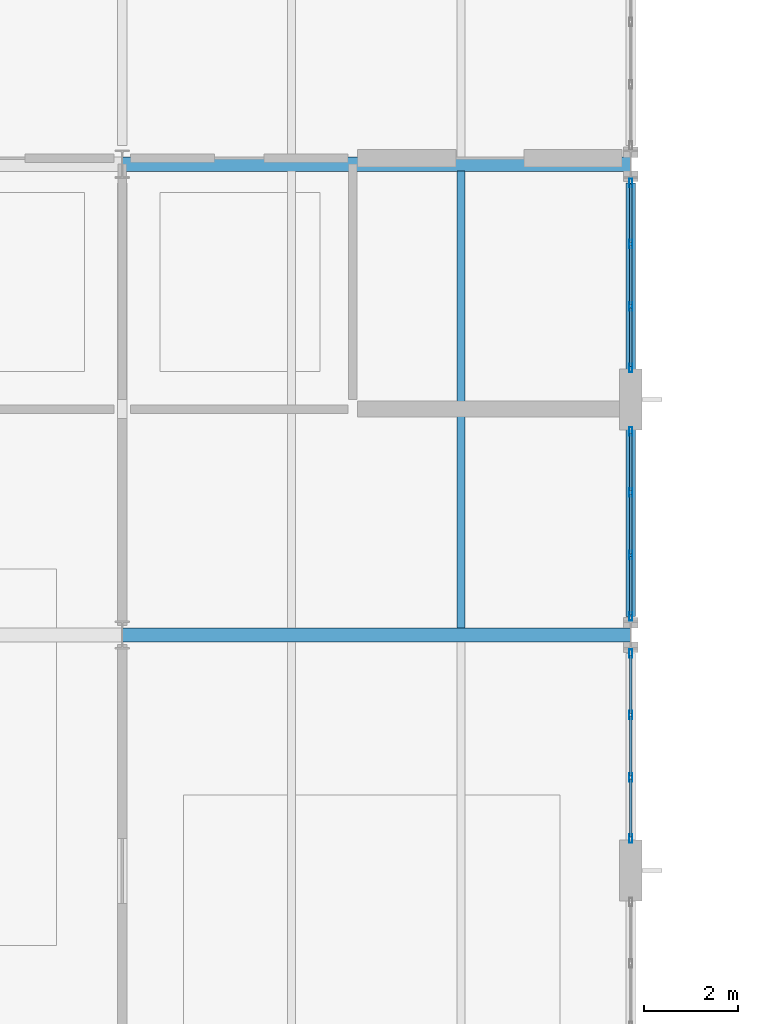
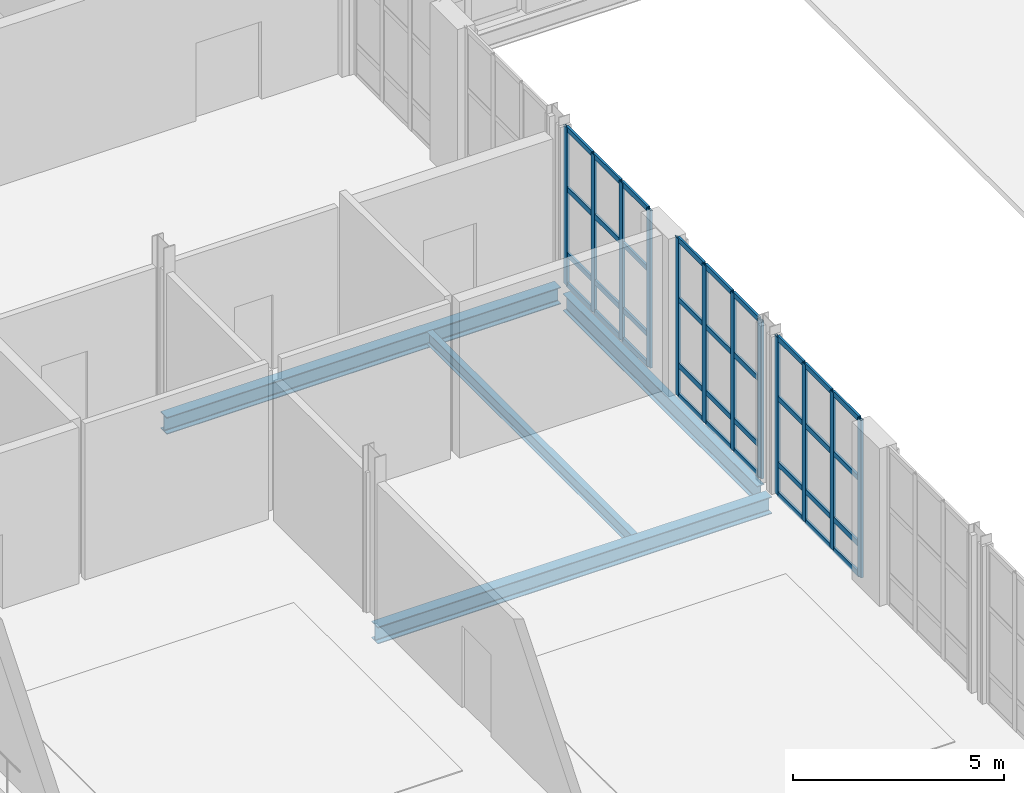
# One storey, part 21 of 92: 48 members, 4 beams, 3 elements without a shape of their own.
"""IFC4 building model written with IfcOpenShell, lengths in metres."""

from ifc_helpers import new_model, si_unit, direction, frame, origin, origin_2d, place, context, subcontext, project, spatial, hollow_rectangle, i_section, extrude, material, layer, layer_set, material_profile, profile_set, type_object, element, aggregate, save


model = new_model("IFC4")

# Units and contexts
model_context = context("Model", 3, precision=1e-05, world=origin(), true_north=direction((0.0, 1.0)))
body_context = subcontext(model_context, "Body", "Model", "MODEL_VIEW")
ifc_project = project(units=[si_unit("LENGTHUNIT", "METRE"), si_unit("AREAUNIT", "SQUARE_METRE"), si_unit("VOLUMEUNIT", "CUBIC_METRE"), si_unit("PLANEANGLEUNIT", "RADIAN"), si_unit("MASSUNIT", "GRAM", prefix="KILO")], contexts=[model_context])

# Site, building, storey
site_placement = place(None, origin())
site = spatial("IfcSite", under=ifc_project, at=site_placement, CompositionType="ELEMENT")
building_placement = place(site_placement, origin())
building = spatial("IfcBuilding", under=site, at=building_placement, Name="Tasgan Crest Museum", CompositionType="ELEMENT")
storey_placement = place(building_placement, frame((0.0, 0.0, 4.800048828125)))
storey = spatial("IfcBuildingStorey", under=building, at=storey_placement, Name="L01", CompositionType="ELEMENT", Elevation=4.800048828125)

# Beams
ifc_material_1 = material(Name="Steel S355J2", Category="steel")
ifc_material_profile_1 = material_profile(ifc_material_1, i_section(OverallWidth=0.300048828125, OverallDepth=0.489990234375, WebThickness=0.011962890625, FlangeThickness=0.02294921875, FilletRadius=0.027099609375, at=origin_2d()), Name="HEA 500")
ifc_profile_set_1 = profile_set([ifc_material_profile_1], Name="Steel S355J2")
beam_type_1 = type_object("IfcBeamType", Name="BM-G-HEA500", PredefinedType="BEAM", material=ifc_profile_set_1)
for number, where, z_axis, x_axis, name in (
    (1, (43.206787109375, 20.0, -0.485107421875), (1.0, 0.0, 0.0), (0.0, 1.0, 0.0), "Girder L01 C 43.2-54.0"),
    (2, (43.206787109375, 30.0, -0.485107421875), (1.0, 0.0, 0.0), (0.0, 1.0, 0.0), "Girder L01 D 43.2-54.0"),
):
    element("IfcBeam", number, at=place(storey_placement, frame(where, z_axis=z_axis, x_axis=x_axis)), inside=storey, type_object=beam_type_1, Name=name, PredefinedType="BEAM", context=body_context, shape_type="SweptSolid", body=[
        extrude(i_section(OverallWidth=0.300048828125, OverallDepth=0.489990234375, WebThickness=0.011962890625, FlangeThickness=0.02294921875, FilletRadius=0.027099609375, at=origin_2d()), origin(), (0.0, 0.0, 1.0), 10.786376953125),
    ])
ifc_material_2 = material(Name="Steel S355J2", Category="steel")
ifc_material_profile_2 = material_profile(ifc_material_2, i_section(OverallWidth=0.199951171875, OverallDepth=0.5, WebThickness=0.01025390625, FlangeThickness=0.01611328125, FilletRadius=0.02099609375, at=origin_2d()), Name="IPE 500")
ifc_profile_set_2 = profile_set([ifc_material_profile_2], Name="Steel S355J2")
beam_type_2 = type_object("IfcBeamType", Name="BM-G-IPE500", PredefinedType="BEAM", material=ifc_profile_set_2)
beam_1_placement = place(storey_placement, frame((54.0, 20.39501953125, -0.489990234375), z_axis=(0.0, 1.0, 0.0), x_axis=(-1.0, 0.0, 0.0)))
element("IfcBeam", 3, at=beam_1_placement, inside=storey, type_object=beam_type_2, Name="Beam L01 6 20.0-30.0", PredefinedType="BEAM", context=body_context, shape_type="SweptSolid", body=[
    extrude(i_section(OverallWidth=0.199951171875, OverallDepth=0.5, WebThickness=0.01025390625, FlangeThickness=0.01611328125, FilletRadius=0.02099609375, at=origin_2d()), origin(), (0.0, 0.0, 1.0), 9.2099609375),
])
ifc_material_3 = material(Name="Steel S355J2", Category="steel")
ifc_material_profile_3 = material_profile(ifc_material_3, i_section(OverallWidth=0.169921875, OverallDepth=0.360107421875, WebThickness=0.008056640625, FlangeThickness=0.0126953125, FilletRadius=0.01806640625, at=origin_2d()), Name="IPE 360")
ifc_profile_set_3 = profile_set([ifc_material_profile_3], Name="Steel S355J2")
beam_type_3 = type_object("IfcBeamType", Name="BM-J-IPE360", PredefinedType="JOIST", material=ifc_profile_set_3)
beam_2_placement = place(storey_placement, frame((50.39990234375, 20.14501953125, -0.420166015625), z_axis=(0.0, 1.0, 0.0), x_axis=(-1.0, 0.0, 0.0)))
element("IfcBeam", 4, at=beam_2_placement, inside=storey, type_object=beam_type_3, Name="Secondary joist L01 X=50.4 Y=20.0-30.0", PredefinedType="JOIST", context=body_context, shape_type="SweptSolid", body=[
    extrude(i_section(OverallWidth=0.169921875, OverallDepth=0.360107421875, WebThickness=0.008056640625, FlangeThickness=0.0126953125, FilletRadius=0.01806640625, at=origin_2d()), origin(), (0.0, 0.0, 1.0), 9.7099609375),
])

# Curtain wall, members
ifc_material_4 = material(Name="Triple-Glazed Aluminium Curtain Wall", Category="aluminium")
ifc_layer = layer(ifc_material_4, 0.179931640625, Name="CW-PORCH-Y")
ifc_layer_set = layer_set([ifc_layer], Name="Triple-Glazed Aluminium Curtain Wall")
curtain_wall_type = type_object("IfcCurtainWallType", Name="CW-PORCH-Y", PredefinedType="NOTDEFINED", material=ifc_layer_set)
curtain_wall_1_placement = place(storey_placement, origin())
curtain_wall_1 = element("IfcCurtainWall", 5, at=curtain_wall_1_placement, inside=storey, type_object=curtain_wall_type, Name="Curtain wall L01 022", PredefinedType="NOTDEFINED")
ifc_material_5 = material(Name="Anodised Aluminium", Category="aluminium")
ifc_material_profile_4 = material_profile(ifc_material_5, hollow_rectangle(XDim=0.06494140625, YDim=0.179931640625, WallThickness=0.0048828125, at=origin_2d()), Name="ALU MULLION 180x65x5")
ifc_profile_set_4 = profile_set([ifc_material_profile_4], Name="Anodised Aluminium")
member_type_1 = type_object("IfcMemberType", Name="CW-MULLION-180", PredefinedType="MULLION", material=ifc_profile_set_4)
member_1_placement = place(storey_placement, frame((54.0, 15.675048828125, 0.0), z_axis=(0.0, 0.0, 1.0), x_axis=(-1.0, 0.0, 0.0)))
member_1 = element("IfcMember", 6, at=member_1_placement, type_object=member_type_1, Name="CW02 mullion 1", PredefinedType="MULLION", context=body_context, shape_type="SweptSolid", body=[
    extrude(hollow_rectangle(XDim=0.06494140625, YDim=0.179931640625, WallThickness=0.0048828125, at=origin_2d()), origin(), (0.0, 0.0, 1.0), 4.56005859375),
])
member_2_placement = place(storey_placement, frame((54.0, 16.97509765625, 0.0), z_axis=(0.0, 0.0, 1.0), x_axis=(-1.0, 0.0, 0.0)))
member_2 = element("IfcMember", 7, at=member_2_placement, type_object=member_type_1, Name="CW02 mullion 2", PredefinedType="MULLION", context=body_context, shape_type="SweptSolid", body=[
    extrude(hollow_rectangle(XDim=0.06494140625, YDim=0.179931640625, WallThickness=0.0048828125, at=origin_2d()), origin(), (0.0, 0.0, 1.0), 4.56005859375),
])
member_3_placement = place(storey_placement, frame((54.0, 18.304931640625, 0.0), z_axis=(0.0, 0.0, 1.0), x_axis=(-1.0, 0.0, 0.0)))
member_3 = element("IfcMember", 8, at=member_3_placement, type_object=member_type_1, Name="CW02 mullion 3", PredefinedType="MULLION", context=body_context, shape_type="SweptSolid", body=[
    extrude(hollow_rectangle(XDim=0.06494140625, YDim=0.179931640625, WallThickness=0.0048828125, at=origin_2d()), origin(), (0.0, 0.0, 1.0), 4.56005859375),
])
member_4_placement = place(storey_placement, frame((54.0, 19.60498046875, 0.0), z_axis=(0.0, 0.0, 1.0), x_axis=(-1.0, 0.0, 0.0)))
member_4 = element("IfcMember", 9, at=member_4_placement, type_object=member_type_1, Name="CW02 mullion 4", PredefinedType="MULLION", context=body_context, shape_type="SweptSolid", body=[
    extrude(hollow_rectangle(XDim=0.06494140625, YDim=0.179931640625, WallThickness=0.0048828125, at=origin_2d()), origin(), (0.0, 0.0, 1.0), 4.56005859375),
])

curtain_wall_2_placement = place(storey_placement, origin())
curtain_wall_2 = element("IfcCurtainWall", 10, at=curtain_wall_2_placement, inside=storey, type_object=curtain_wall_type, Name="Curtain wall L01 023", PredefinedType="NOTDEFINED")
member_5_placement = place(storey_placement, frame((54.0, 20.39501953125, 0.0), z_axis=(0.0, 0.0, 1.0), x_axis=(-1.0, 0.0, 0.0)))
member_5 = element("IfcMember", 11, at=member_5_placement, type_object=member_type_1, Name="CW02 mullion 1", PredefinedType="MULLION", context=body_context, shape_type="SweptSolid", body=[
    extrude(hollow_rectangle(XDim=0.06494140625, YDim=0.179931640625, WallThickness=0.0048828125, at=origin_2d()), origin(), (0.0, 0.0, 1.0), 4.56005859375),
])
member_6_placement = place(storey_placement, frame((54.0, 21.695068359375, 0.0), z_axis=(0.0, 0.0, 1.0), x_axis=(-1.0, 0.0, 0.0)))
member_6 = element("IfcMember", 12, at=member_6_placement, type_object=member_type_1, Name="CW02 mullion 2", PredefinedType="MULLION", context=body_context, shape_type="SweptSolid", body=[
    extrude(hollow_rectangle(XDim=0.06494140625, YDim=0.179931640625, WallThickness=0.0048828125, at=origin_2d()), origin(), (0.0, 0.0, 1.0), 4.56005859375),
])
member_7_placement = place(storey_placement, frame((54.0, 23.02490234375, 0.0), z_axis=(0.0, 0.0, 1.0), x_axis=(-1.0, 0.0, 0.0)))
member_7 = element("IfcMember", 13, at=member_7_placement, type_object=member_type_1, Name="CW02 mullion 3", PredefinedType="MULLION", context=body_context, shape_type="SweptSolid", body=[
    extrude(hollow_rectangle(XDim=0.06494140625, YDim=0.179931640625, WallThickness=0.0048828125, at=origin_2d()), origin(), (0.0, 0.0, 1.0), 4.56005859375),
])
member_8_placement = place(storey_placement, frame((54.0, 24.324951171875, 0.0), z_axis=(0.0, 0.0, 1.0), x_axis=(-1.0, 0.0, 0.0)))
member_8 = element("IfcMember", 14, at=member_8_placement, type_object=member_type_1, Name="CW02 mullion 4", PredefinedType="MULLION", context=body_context, shape_type="SweptSolid", body=[
    extrude(hollow_rectangle(XDim=0.06494140625, YDim=0.179931640625, WallThickness=0.0048828125, at=origin_2d()), origin(), (0.0, 0.0, 1.0), 4.56005859375),
])

curtain_wall_3_placement = place(storey_placement, origin())
curtain_wall_3 = element("IfcCurtainWall", 15, at=curtain_wall_3_placement, inside=storey, type_object=curtain_wall_type, Name="Curtain wall L01 024", PredefinedType="NOTDEFINED")
member_9_placement = place(storey_placement, frame((54.0, 25.675048828125, 0.0), z_axis=(0.0, 0.0, 1.0), x_axis=(-1.0, 0.0, 0.0)))
member_9 = element("IfcMember", 16, at=member_9_placement, type_object=member_type_1, Name="CW02 mullion 1", PredefinedType="MULLION", context=body_context, shape_type="SweptSolid", body=[
    extrude(hollow_rectangle(XDim=0.06494140625, YDim=0.179931640625, WallThickness=0.0048828125, at=origin_2d()), origin(), (0.0, 0.0, 1.0), 4.56005859375),
])
member_10_placement = place(storey_placement, frame((54.0, 26.97509765625, 0.0), z_axis=(0.0, 0.0, 1.0), x_axis=(-1.0, 0.0, 0.0)))
member_10 = element("IfcMember", 17, at=member_10_placement, type_object=member_type_1, Name="CW02 mullion 2", PredefinedType="MULLION", context=body_context, shape_type="SweptSolid", body=[
    extrude(hollow_rectangle(XDim=0.06494140625, YDim=0.179931640625, WallThickness=0.0048828125, at=origin_2d()), origin(), (0.0, 0.0, 1.0), 4.56005859375),
])
member_11_placement = place(storey_placement, frame((54.0, 28.304931640625, 0.0), z_axis=(0.0, 0.0, 1.0), x_axis=(-1.0, 0.0, 0.0)))
member_11 = element("IfcMember", 18, at=member_11_placement, type_object=member_type_1, Name="CW02 mullion 3", PredefinedType="MULLION", context=body_context, shape_type="SweptSolid", body=[
    extrude(hollow_rectangle(XDim=0.06494140625, YDim=0.179931640625, WallThickness=0.0048828125, at=origin_2d()), origin(), (0.0, 0.0, 1.0), 4.56005859375),
])
member_12_placement = place(storey_placement, frame((54.0, 29.60498046875, 0.0), z_axis=(0.0, 0.0, 1.0), x_axis=(-1.0, 0.0, 0.0)))
member_12 = element("IfcMember", 19, at=member_12_placement, type_object=member_type_1, Name="CW02 mullion 4", PredefinedType="MULLION", context=body_context, shape_type="SweptSolid", body=[
    extrude(hollow_rectangle(XDim=0.06494140625, YDim=0.179931640625, WallThickness=0.0048828125, at=origin_2d()), origin(), (0.0, 0.0, 1.0), 4.56005859375),
])

# Member
ifc_material_6 = material(Name="Anodised Aluminium", Category="aluminium")
ifc_material_profile_5 = material_profile(ifc_material_6, hollow_rectangle(XDim=0.06005859375, YDim=0.14990234375, WallThickness=0.0048828125, at=origin_2d()), Name="ALU TRANSOM 150x60x5")
ifc_profile_set_5 = profile_set([ifc_material_profile_5], Name="Anodised Aluminium")
member_type_2 = type_object("IfcMemberType", Name="CW-TRANSOM-150", PredefinedType="USERDEFINED", material=ifc_profile_set_5)
member_13_placement = place(storey_placement, frame((54.0, 15.705078125, 0.030029296875), z_axis=(0.0, 1.0, 0.0), x_axis=(-1.0, 0.0, 0.0)))
member_13 = element("IfcMember", 20, at=member_13_placement, type_object=member_type_2, Name="CW02 transom 1.1", ObjectType="TRANSOM", PredefinedType="USERDEFINED", context=body_context, shape_type="SweptSolid", body=[
    extrude(hollow_rectangle(XDim=0.06005859375, YDim=0.14990234375, WallThickness=0.0048828125, at=origin_2d()), origin(), (0.0, 0.0, 1.0), 1.239990234375),
])

member_14_placement = place(storey_placement, frame((54.0, 15.705078125, 0.89990234375), z_axis=(0.0, 1.0, 0.0), x_axis=(-1.0, 0.0, 0.0)))
member_14 = element("IfcMember", 21, at=member_14_placement, type_object=member_type_2, Name="CW02 transom 1.2", ObjectType="TRANSOM", PredefinedType="USERDEFINED", context=body_context, shape_type="SweptSolid", body=[
    extrude(hollow_rectangle(XDim=0.06005859375, YDim=0.14990234375, WallThickness=0.0048828125, at=origin_2d()), origin(), (0.0, 0.0, 1.0), 1.239990234375),
])

member_15_placement = place(storey_placement, frame((54.0, 15.705078125, 2.800048828125), z_axis=(0.0, 1.0, 0.0), x_axis=(-1.0, 0.0, 0.0)))
member_15 = element("IfcMember", 22, at=member_15_placement, type_object=member_type_2, Name="CW02 transom 1.3", ObjectType="TRANSOM", PredefinedType="USERDEFINED", context=body_context, shape_type="SweptSolid", body=[
    extrude(hollow_rectangle(XDim=0.06005859375, YDim=0.14990234375, WallThickness=0.0048828125, at=origin_2d()), origin(), (0.0, 0.0, 1.0), 1.239990234375),
])

member_16_placement = place(storey_placement, frame((54.0, 15.705078125, 4.530029296875), z_axis=(0.0, 1.0, 0.0), x_axis=(-1.0, 0.0, 0.0)))
member_16 = element("IfcMember", 23, at=member_16_placement, type_object=member_type_2, Name="CW02 transom 1.4", ObjectType="TRANSOM", PredefinedType="USERDEFINED", context=body_context, shape_type="SweptSolid", body=[
    extrude(hollow_rectangle(XDim=0.06005859375, YDim=0.14990234375, WallThickness=0.0048828125, at=origin_2d()), origin(), (0.0, 0.0, 1.0), 1.239990234375),
])

member_17_placement = place(storey_placement, frame((54.0, 17.0048828125, 0.030029296875), z_axis=(0.0, 1.0, 0.0), x_axis=(-1.0, 0.0, 0.0)))
member_17 = element("IfcMember", 24, at=member_17_placement, type_object=member_type_2, Name="CW02 transom 2.1", ObjectType="TRANSOM", PredefinedType="USERDEFINED", context=body_context, shape_type="SweptSolid", body=[
    extrude(hollow_rectangle(XDim=0.06005859375, YDim=0.14990234375, WallThickness=0.0048828125, at=origin_2d()), origin(), (0.0, 0.0, 1.0), 1.27001953125),
])

member_18_placement = place(storey_placement, frame((54.0, 17.0048828125, 0.89990234375), z_axis=(0.0, 1.0, 0.0), x_axis=(-1.0, 0.0, 0.0)))
member_18 = element("IfcMember", 25, at=member_18_placement, type_object=member_type_2, Name="CW02 transom 2.2", ObjectType="TRANSOM", PredefinedType="USERDEFINED", context=body_context, shape_type="SweptSolid", body=[
    extrude(hollow_rectangle(XDim=0.06005859375, YDim=0.14990234375, WallThickness=0.0048828125, at=origin_2d()), origin(), (0.0, 0.0, 1.0), 1.27001953125),
])

member_19_placement = place(storey_placement, frame((54.0, 17.0048828125, 2.800048828125), z_axis=(0.0, 1.0, 0.0), x_axis=(-1.0, 0.0, 0.0)))
member_19 = element("IfcMember", 26, at=member_19_placement, type_object=member_type_2, Name="CW02 transom 2.3", ObjectType="TRANSOM", PredefinedType="USERDEFINED", context=body_context, shape_type="SweptSolid", body=[
    extrude(hollow_rectangle(XDim=0.06005859375, YDim=0.14990234375, WallThickness=0.0048828125, at=origin_2d()), origin(), (0.0, 0.0, 1.0), 1.27001953125),
])

member_20_placement = place(storey_placement, frame((54.0, 17.0048828125, 4.530029296875), z_axis=(0.0, 1.0, 0.0), x_axis=(-1.0, 0.0, 0.0)))
member_20 = element("IfcMember", 27, at=member_20_placement, type_object=member_type_2, Name="CW02 transom 2.4", ObjectType="TRANSOM", PredefinedType="USERDEFINED", context=body_context, shape_type="SweptSolid", body=[
    extrude(hollow_rectangle(XDim=0.06005859375, YDim=0.14990234375, WallThickness=0.0048828125, at=origin_2d()), origin(), (0.0, 0.0, 1.0), 1.27001953125),
])

member_21_placement = place(storey_placement, frame((54.0, 18.3349609375, 0.030029296875), z_axis=(0.0, 1.0, 0.0), x_axis=(-1.0, 0.0, 0.0)))
member_21 = element("IfcMember", 28, at=member_21_placement, type_object=member_type_2, Name="CW02 transom 3.1", ObjectType="TRANSOM", PredefinedType="USERDEFINED", context=body_context, shape_type="SweptSolid", body=[
    extrude(hollow_rectangle(XDim=0.06005859375, YDim=0.14990234375, WallThickness=0.0048828125, at=origin_2d()), origin(), (0.0, 0.0, 1.0), 1.239990234375),
])

member_22_placement = place(storey_placement, frame((54.0, 18.3349609375, 0.89990234375), z_axis=(0.0, 1.0, 0.0), x_axis=(-1.0, 0.0, 0.0)))
member_22 = element("IfcMember", 29, at=member_22_placement, type_object=member_type_2, Name="CW02 transom 3.2", ObjectType="TRANSOM", PredefinedType="USERDEFINED", context=body_context, shape_type="SweptSolid", body=[
    extrude(hollow_rectangle(XDim=0.06005859375, YDim=0.14990234375, WallThickness=0.0048828125, at=origin_2d()), origin(), (0.0, 0.0, 1.0), 1.239990234375),
])

member_23_placement = place(storey_placement, frame((54.0, 18.3349609375, 2.800048828125), z_axis=(0.0, 1.0, 0.0), x_axis=(-1.0, 0.0, 0.0)))
member_23 = element("IfcMember", 30, at=member_23_placement, type_object=member_type_2, Name="CW02 transom 3.3", ObjectType="TRANSOM", PredefinedType="USERDEFINED", context=body_context, shape_type="SweptSolid", body=[
    extrude(hollow_rectangle(XDim=0.06005859375, YDim=0.14990234375, WallThickness=0.0048828125, at=origin_2d()), origin(), (0.0, 0.0, 1.0), 1.239990234375),
])

member_24_placement = place(storey_placement, frame((54.0, 18.3349609375, 4.530029296875), z_axis=(0.0, 1.0, 0.0), x_axis=(-1.0, 0.0, 0.0)))
member_24 = element("IfcMember", 31, at=member_24_placement, type_object=member_type_2, Name="CW02 transom 3.4", ObjectType="TRANSOM", PredefinedType="USERDEFINED", context=body_context, shape_type="SweptSolid", body=[
    extrude(hollow_rectangle(XDim=0.06005859375, YDim=0.14990234375, WallThickness=0.0048828125, at=origin_2d()), origin(), (0.0, 0.0, 1.0), 1.239990234375),
])

aggregate(curtain_wall_1, [member_1, member_2, member_3, member_4, member_13, member_14, member_15, member_16, member_17, member_18, member_19, member_20, member_21, member_22, member_23, member_24])

member_25_placement = place(storey_placement, frame((54.0, 20.425048828125, 0.030029296875), z_axis=(0.0, 1.0, 0.0), x_axis=(-1.0, 0.0, 0.0)))
member_25 = element("IfcMember", 32, at=member_25_placement, type_object=member_type_2, Name="CW02 transom 1.1", ObjectType="TRANSOM", PredefinedType="USERDEFINED", context=body_context, shape_type="SweptSolid", body=[
    extrude(hollow_rectangle(XDim=0.06005859375, YDim=0.14990234375, WallThickness=0.0048828125, at=origin_2d()), origin(), (0.0, 0.0, 1.0), 1.239990234375),
])

member_26_placement = place(storey_placement, frame((54.0, 20.425048828125, 0.89990234375), z_axis=(0.0, 1.0, 0.0), x_axis=(-1.0, 0.0, 0.0)))
member_26 = element("IfcMember", 33, at=member_26_placement, type_object=member_type_2, Name="CW02 transom 1.2", ObjectType="TRANSOM", PredefinedType="USERDEFINED", context=body_context, shape_type="SweptSolid", body=[
    extrude(hollow_rectangle(XDim=0.06005859375, YDim=0.14990234375, WallThickness=0.0048828125, at=origin_2d()), origin(), (0.0, 0.0, 1.0), 1.239990234375),
])

member_27_placement = place(storey_placement, frame((54.0, 20.425048828125, 2.800048828125), z_axis=(0.0, 1.0, 0.0), x_axis=(-1.0, 0.0, 0.0)))
member_27 = element("IfcMember", 34, at=member_27_placement, type_object=member_type_2, Name="CW02 transom 1.3", ObjectType="TRANSOM", PredefinedType="USERDEFINED", context=body_context, shape_type="SweptSolid", body=[
    extrude(hollow_rectangle(XDim=0.06005859375, YDim=0.14990234375, WallThickness=0.0048828125, at=origin_2d()), origin(), (0.0, 0.0, 1.0), 1.239990234375),
])

member_28_placement = place(storey_placement, frame((54.0, 20.425048828125, 4.530029296875), z_axis=(0.0, 1.0, 0.0), x_axis=(-1.0, 0.0, 0.0)))
member_28 = element("IfcMember", 35, at=member_28_placement, type_object=member_type_2, Name="CW02 transom 1.4", ObjectType="TRANSOM", PredefinedType="USERDEFINED", context=body_context, shape_type="SweptSolid", body=[
    extrude(hollow_rectangle(XDim=0.06005859375, YDim=0.14990234375, WallThickness=0.0048828125, at=origin_2d()), origin(), (0.0, 0.0, 1.0), 1.239990234375),
])

member_29_placement = place(storey_placement, frame((54.0, 21.72509765625, 0.030029296875), z_axis=(0.0, 1.0, 0.0), x_axis=(-1.0, 0.0, 0.0)))
member_29 = element("IfcMember", 36, at=member_29_placement, type_object=member_type_2, Name="CW02 transom 2.1", ObjectType="TRANSOM", PredefinedType="USERDEFINED", context=body_context, shape_type="SweptSolid", body=[
    extrude(hollow_rectangle(XDim=0.06005859375, YDim=0.14990234375, WallThickness=0.0048828125, at=origin_2d()), origin(), (0.0, 0.0, 1.0), 1.27001953125),
])

member_30_placement = place(storey_placement, frame((54.0, 21.72509765625, 0.89990234375), z_axis=(0.0, 1.0, 0.0), x_axis=(-1.0, 0.0, 0.0)))
member_30 = element("IfcMember", 37, at=member_30_placement, type_object=member_type_2, Name="CW02 transom 2.2", ObjectType="TRANSOM", PredefinedType="USERDEFINED", context=body_context, shape_type="SweptSolid", body=[
    extrude(hollow_rectangle(XDim=0.06005859375, YDim=0.14990234375, WallThickness=0.0048828125, at=origin_2d()), origin(), (0.0, 0.0, 1.0), 1.27001953125),
])

member_31_placement = place(storey_placement, frame((54.0, 21.72509765625, 2.800048828125), z_axis=(0.0, 1.0, 0.0), x_axis=(-1.0, 0.0, 0.0)))
member_31 = element("IfcMember", 38, at=member_31_placement, type_object=member_type_2, Name="CW02 transom 2.3", ObjectType="TRANSOM", PredefinedType="USERDEFINED", context=body_context, shape_type="SweptSolid", body=[
    extrude(hollow_rectangle(XDim=0.06005859375, YDim=0.14990234375, WallThickness=0.0048828125, at=origin_2d()), origin(), (0.0, 0.0, 1.0), 1.27001953125),
])

member_32_placement = place(storey_placement, frame((54.0, 21.72509765625, 4.530029296875), z_axis=(0.0, 1.0, 0.0), x_axis=(-1.0, 0.0, 0.0)))
member_32 = element("IfcMember", 39, at=member_32_placement, type_object=member_type_2, Name="CW02 transom 2.4", ObjectType="TRANSOM", PredefinedType="USERDEFINED", context=body_context, shape_type="SweptSolid", body=[
    extrude(hollow_rectangle(XDim=0.06005859375, YDim=0.14990234375, WallThickness=0.0048828125, at=origin_2d()), origin(), (0.0, 0.0, 1.0), 1.27001953125),
])

member_33_placement = place(storey_placement, frame((54.0, 23.054931640625, 0.030029296875), z_axis=(0.0, 1.0, 0.0), x_axis=(-1.0, 0.0, 0.0)))
member_33 = element("IfcMember", 40, at=member_33_placement, type_object=member_type_2, Name="CW02 transom 3.1", ObjectType="TRANSOM", PredefinedType="USERDEFINED", context=body_context, shape_type="SweptSolid", body=[
    extrude(hollow_rectangle(XDim=0.06005859375, YDim=0.14990234375, WallThickness=0.0048828125, at=origin_2d()), origin(), (0.0, 0.0, 1.0), 1.239990234375),
])

member_34_placement = place(storey_placement, frame((54.0, 23.054931640625, 0.89990234375), z_axis=(0.0, 1.0, 0.0), x_axis=(-1.0, 0.0, 0.0)))
member_34 = element("IfcMember", 41, at=member_34_placement, type_object=member_type_2, Name="CW02 transom 3.2", ObjectType="TRANSOM", PredefinedType="USERDEFINED", context=body_context, shape_type="SweptSolid", body=[
    extrude(hollow_rectangle(XDim=0.06005859375, YDim=0.14990234375, WallThickness=0.0048828125, at=origin_2d()), origin(), (0.0, 0.0, 1.0), 1.239990234375),
])

member_35_placement = place(storey_placement, frame((54.0, 23.054931640625, 2.800048828125), z_axis=(0.0, 1.0, 0.0), x_axis=(-1.0, 0.0, 0.0)))
member_35 = element("IfcMember", 42, at=member_35_placement, type_object=member_type_2, Name="CW02 transom 3.3", ObjectType="TRANSOM", PredefinedType="USERDEFINED", context=body_context, shape_type="SweptSolid", body=[
    extrude(hollow_rectangle(XDim=0.06005859375, YDim=0.14990234375, WallThickness=0.0048828125, at=origin_2d()), origin(), (0.0, 0.0, 1.0), 1.239990234375),
])

member_36_placement = place(storey_placement, frame((54.0, 23.054931640625, 4.530029296875), z_axis=(0.0, 1.0, 0.0), x_axis=(-1.0, 0.0, 0.0)))
member_36 = element("IfcMember", 43, at=member_36_placement, type_object=member_type_2, Name="CW02 transom 3.4", ObjectType="TRANSOM", PredefinedType="USERDEFINED", context=body_context, shape_type="SweptSolid", body=[
    extrude(hollow_rectangle(XDim=0.06005859375, YDim=0.14990234375, WallThickness=0.0048828125, at=origin_2d()), origin(), (0.0, 0.0, 1.0), 1.239990234375),
])

aggregate(curtain_wall_2, [member_5, member_6, member_7, member_8, member_25, member_26, member_27, member_28, member_29, member_30, member_31, member_32, member_33, member_34, member_35, member_36])

member_37_placement = place(storey_placement, frame((54.0, 25.705078125, 0.030029296875), z_axis=(0.0, 1.0, 0.0), x_axis=(-1.0, 0.0, 0.0)))
member_37 = element("IfcMember", 44, at=member_37_placement, type_object=member_type_2, Name="CW02 transom 1.1", ObjectType="TRANSOM", PredefinedType="USERDEFINED", context=body_context, shape_type="SweptSolid", body=[
    extrude(hollow_rectangle(XDim=0.06005859375, YDim=0.14990234375, WallThickness=0.0048828125, at=origin_2d()), origin(), (0.0, 0.0, 1.0), 1.239990234375),
])

member_38_placement = place(storey_placement, frame((54.0, 25.705078125, 0.89990234375), z_axis=(0.0, 1.0, 0.0), x_axis=(-1.0, 0.0, 0.0)))
member_38 = element("IfcMember", 45, at=member_38_placement, type_object=member_type_2, Name="CW02 transom 1.2", ObjectType="TRANSOM", PredefinedType="USERDEFINED", context=body_context, shape_type="SweptSolid", body=[
    extrude(hollow_rectangle(XDim=0.06005859375, YDim=0.14990234375, WallThickness=0.0048828125, at=origin_2d()), origin(), (0.0, 0.0, 1.0), 1.239990234375),
])

member_39_placement = place(storey_placement, frame((54.0, 25.705078125, 2.800048828125), z_axis=(0.0, 1.0, 0.0), x_axis=(-1.0, 0.0, 0.0)))
member_39 = element("IfcMember", 46, at=member_39_placement, type_object=member_type_2, Name="CW02 transom 1.3", ObjectType="TRANSOM", PredefinedType="USERDEFINED", context=body_context, shape_type="SweptSolid", body=[
    extrude(hollow_rectangle(XDim=0.06005859375, YDim=0.14990234375, WallThickness=0.0048828125, at=origin_2d()), origin(), (0.0, 0.0, 1.0), 1.239990234375),
])

member_40_placement = place(storey_placement, frame((54.0, 25.705078125, 4.530029296875), z_axis=(0.0, 1.0, 0.0), x_axis=(-1.0, 0.0, 0.0)))
member_40 = element("IfcMember", 47, at=member_40_placement, type_object=member_type_2, Name="CW02 transom 1.4", ObjectType="TRANSOM", PredefinedType="USERDEFINED", context=body_context, shape_type="SweptSolid", body=[
    extrude(hollow_rectangle(XDim=0.06005859375, YDim=0.14990234375, WallThickness=0.0048828125, at=origin_2d()), origin(), (0.0, 0.0, 1.0), 1.239990234375),
])

member_41_placement = place(storey_placement, frame((54.0, 27.0048828125, 0.030029296875), z_axis=(0.0, 1.0, 0.0), x_axis=(-1.0, 0.0, 0.0)))
member_41 = element("IfcMember", 48, at=member_41_placement, type_object=member_type_2, Name="CW02 transom 2.1", ObjectType="TRANSOM", PredefinedType="USERDEFINED", context=body_context, shape_type="SweptSolid", body=[
    extrude(hollow_rectangle(XDim=0.06005859375, YDim=0.14990234375, WallThickness=0.0048828125, at=origin_2d()), origin(), (0.0, 0.0, 1.0), 1.27001953125),
])

member_42_placement = place(storey_placement, frame((54.0, 27.0048828125, 0.89990234375), z_axis=(0.0, 1.0, 0.0), x_axis=(-1.0, 0.0, 0.0)))
member_42 = element("IfcMember", 49, at=member_42_placement, type_object=member_type_2, Name="CW02 transom 2.2", ObjectType="TRANSOM", PredefinedType="USERDEFINED", context=body_context, shape_type="SweptSolid", body=[
    extrude(hollow_rectangle(XDim=0.06005859375, YDim=0.14990234375, WallThickness=0.0048828125, at=origin_2d()), origin(), (0.0, 0.0, 1.0), 1.27001953125),
])

member_43_placement = place(storey_placement, frame((54.0, 27.0048828125, 2.800048828125), z_axis=(0.0, 1.0, 0.0), x_axis=(-1.0, 0.0, 0.0)))
member_43 = element("IfcMember", 50, at=member_43_placement, type_object=member_type_2, Name="CW02 transom 2.3", ObjectType="TRANSOM", PredefinedType="USERDEFINED", context=body_context, shape_type="SweptSolid", body=[
    extrude(hollow_rectangle(XDim=0.06005859375, YDim=0.14990234375, WallThickness=0.0048828125, at=origin_2d()), origin(), (0.0, 0.0, 1.0), 1.27001953125),
])

member_44_placement = place(storey_placement, frame((54.0, 27.0048828125, 4.530029296875), z_axis=(0.0, 1.0, 0.0), x_axis=(-1.0, 0.0, 0.0)))
member_44 = element("IfcMember", 51, at=member_44_placement, type_object=member_type_2, Name="CW02 transom 2.4", ObjectType="TRANSOM", PredefinedType="USERDEFINED", context=body_context, shape_type="SweptSolid", body=[
    extrude(hollow_rectangle(XDim=0.06005859375, YDim=0.14990234375, WallThickness=0.0048828125, at=origin_2d()), origin(), (0.0, 0.0, 1.0), 1.27001953125),
])

member_45_placement = place(storey_placement, frame((54.0, 28.3349609375, 0.030029296875), z_axis=(0.0, 1.0, 0.0), x_axis=(-1.0, 0.0, 0.0)))
member_45 = element("IfcMember", 52, at=member_45_placement, type_object=member_type_2, Name="CW02 transom 3.1", ObjectType="TRANSOM", PredefinedType="USERDEFINED", context=body_context, shape_type="SweptSolid", body=[
    extrude(hollow_rectangle(XDim=0.06005859375, YDim=0.14990234375, WallThickness=0.0048828125, at=origin_2d()), origin(), (0.0, 0.0, 1.0), 1.239990234375),
])

member_46_placement = place(storey_placement, frame((54.0, 28.3349609375, 0.89990234375), z_axis=(0.0, 1.0, 0.0), x_axis=(-1.0, 0.0, 0.0)))
member_46 = element("IfcMember", 53, at=member_46_placement, type_object=member_type_2, Name="CW02 transom 3.2", ObjectType="TRANSOM", PredefinedType="USERDEFINED", context=body_context, shape_type="SweptSolid", body=[
    extrude(hollow_rectangle(XDim=0.06005859375, YDim=0.14990234375, WallThickness=0.0048828125, at=origin_2d()), origin(), (0.0, 0.0, 1.0), 1.239990234375),
])

member_47_placement = place(storey_placement, frame((54.0, 28.3349609375, 2.800048828125), z_axis=(0.0, 1.0, 0.0), x_axis=(-1.0, 0.0, 0.0)))
member_47 = element("IfcMember", 54, at=member_47_placement, type_object=member_type_2, Name="CW02 transom 3.3", ObjectType="TRANSOM", PredefinedType="USERDEFINED", context=body_context, shape_type="SweptSolid", body=[
    extrude(hollow_rectangle(XDim=0.06005859375, YDim=0.14990234375, WallThickness=0.0048828125, at=origin_2d()), origin(), (0.0, 0.0, 1.0), 1.239990234375),
])

member_48_placement = place(storey_placement, frame((54.0, 28.3349609375, 4.530029296875), z_axis=(0.0, 1.0, 0.0), x_axis=(-1.0, 0.0, 0.0)))
member_48 = element("IfcMember", 55, at=member_48_placement, type_object=member_type_2, Name="CW02 transom 3.4", ObjectType="TRANSOM", PredefinedType="USERDEFINED", context=body_context, shape_type="SweptSolid", body=[
    extrude(hollow_rectangle(XDim=0.06005859375, YDim=0.14990234375, WallThickness=0.0048828125, at=origin_2d()), origin(), (0.0, 0.0, 1.0), 1.239990234375),
])

aggregate(curtain_wall_3, [member_9, member_10, member_11, member_12, member_37, member_38, member_39, member_40, member_41, member_42, member_43, member_44, member_45, member_46, member_47, member_48])

save(model, "model.ifc")
